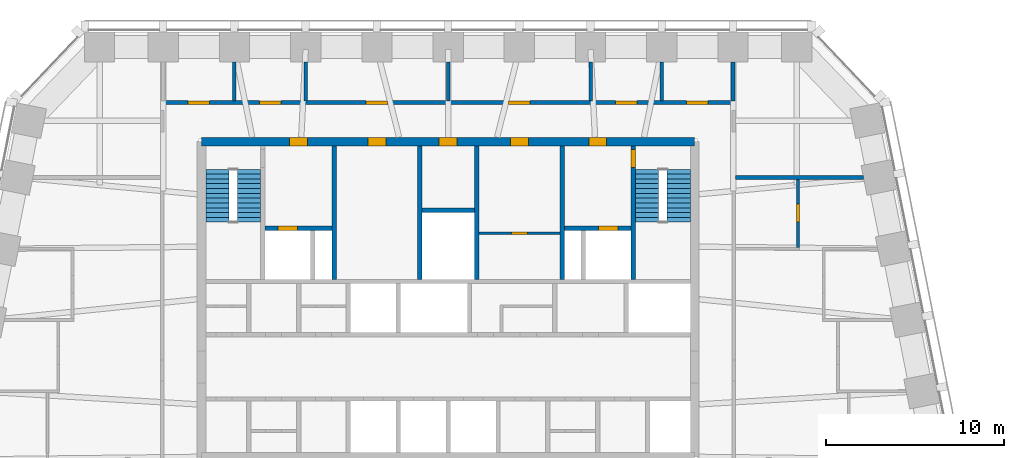
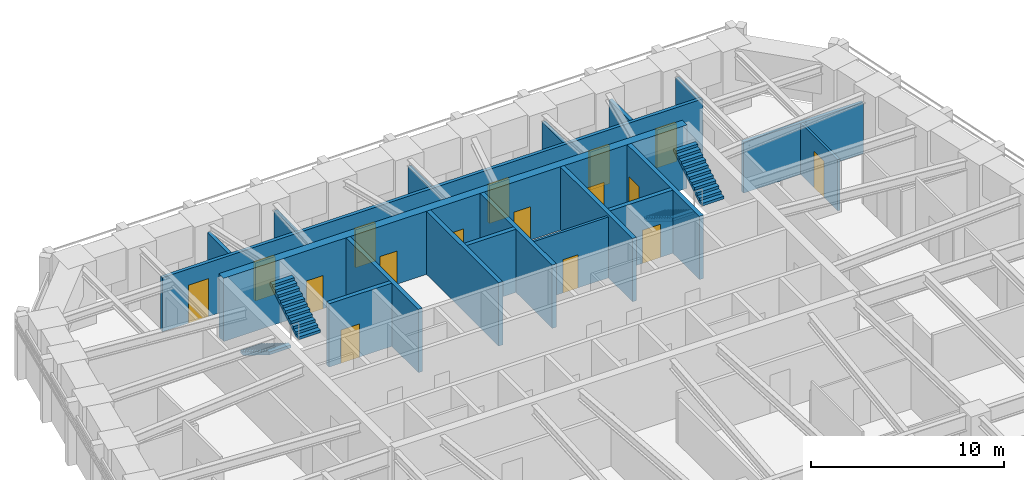
# One storey, part 8 of 10: 19 walls, 16 doors, 4 stair flights, 16 openings, 2 elements without a shape of their own.
"""IFC4 building model written with IfcOpenShell, lengths in metres."""

from ifc_helpers import new_model, si_unit, direction, frame, frame_2d, origin, place, context, subcontext, project, spatial, polyline, rectangle, outline, extrude, material, layer, layer_set, type_object, element, fill, aggregate, save


model = new_model("IFC4")

# Units and contexts
model_context = context("Model", 3, precision=1e-05, world=origin(), true_north=direction((0.0, 1.0)))
body_context = subcontext(model_context, "Body", "Model", "MODEL_VIEW")
ifc_project = project(units=[si_unit("LENGTHUNIT", "METRE"), si_unit("AREAUNIT", "SQUARE_METRE"), si_unit("VOLUMEUNIT", "CUBIC_METRE"), si_unit("PLANEANGLEUNIT", "RADIAN"), si_unit("MASSUNIT", "GRAM", prefix="KILO")], contexts=[model_context])

# Site, building, storey
site_placement = place(None, origin())
site = spatial("IfcSite", under=ifc_project, at=site_placement, CompositionType="ELEMENT")
building_placement = place(site_placement, origin())
building = spatial("IfcBuilding", under=site, at=building_placement, Name="Isbrekke Arena Tower", CompositionType="ELEMENT")
storey_placement = place(building_placement, frame((0.0, 0.0, 260.0)))
storey = spatial("IfcBuildingStorey", under=building, at=storey_placement, Name="L60", CompositionType="ELEMENT", Elevation=260.0)

# Wall, openings, doors
ifc_material_1 = material(Name="Concrete B55 (C55/67)", Category="concrete")
ifc_layer_1 = layer(ifc_material_1, 0.5)
ifc_layer_set_1 = layer_set([ifc_layer_1], Name="CW5 CORE WALL 500")
wall_type_1 = type_object("IfcWallType", Name="CW5 CORE WALL 500", PredefinedType="SHEAR", material=ifc_layer_set_1)
wall_1_placement = place(storey_placement, frame((13.85009765625, 23.85009765625, 0.0), z_axis=(0.0, 0.0, 1.0), x_axis=(-1.0, 0.0, 0.0)))
wall_1 = element("IfcWall", 1, at=wall_1_placement, inside=storey, type_object=wall_type_1, Name="Core wall N L60", PredefinedType="SHEAR", context=body_context, shape_type="SweptSolid", body=[
    extrude(rectangle(XDim=27.7001953125, YDim=0.5, at=frame_2d((13.85009765625, 0.0))), origin(), (0.0, 0.0, 1.0), 4.0),
])
opening_1_placement = place(wall_1_placement, frame((21.75, 0.0, 0.0)))
opening_1 = element("IfcOpeningElement", 2, at=opening_1_placement, cuts=wall_1, Name="Opening D3", PredefinedType="OPENING", context=body_context, shape_type="SweptSolid", body=[
    extrude(rectangle(XDim=1.0, YDim=2.10009765625, at=frame_2d((0.5, 1.050048828125))), frame((0.0, 0.264892578125, 0.0), z_axis=(0.0, -1.0, 0.0), x_axis=(1.0, 0.0, 0.0)), (0.0, 0.0, 1.0), 0.52978515625),
])
opening_2_placement = place(wall_1_placement, frame((4.949951171875, 0.0, 0.0)))
opening_2 = element("IfcOpeningElement", 3, at=opening_2_placement, cuts=wall_1, Name="Opening D3", PredefinedType="OPENING", context=body_context, shape_type="SweptSolid", body=[
    extrude(rectangle(XDim=1.0, YDim=2.10009765625, at=frame_2d((0.5, 1.050048828125))), frame((0.0, 0.264892578125, 0.0), z_axis=(0.0, -1.0, 0.0), x_axis=(1.0, 0.0, 0.0)), (0.0, 0.0, 1.0), 0.52978515625),
])
opening_3_placement = place(wall_1_placement, frame((17.35009765625, 0.0, 0.0)))
opening_3 = element("IfcOpeningElement", 4, at=opening_3_placement, cuts=wall_1, Name="Opening D4", PredefinedType="OPENING", context=body_context, shape_type="SweptSolid", body=[
    extrude(rectangle(XDim=1.0, YDim=2.10009765625, at=frame_2d((0.5, 1.050048828125))), frame((0.0, 0.264892578125, 0.0), z_axis=(0.0, -1.0, 0.0), x_axis=(1.0, 0.0, 0.0)), (0.0, 0.0, 1.0), 0.52978515625),
])
opening_4_placement = place(wall_1_placement, frame((13.35009765625, 0.0, 0.0)))
opening_4 = element("IfcOpeningElement", 5, at=opening_4_placement, cuts=wall_1, Name="Opening D4", PredefinedType="OPENING", context=body_context, shape_type="SweptSolid", body=[
    extrude(rectangle(XDim=1.0, YDim=2.10009765625, at=frame_2d((0.5, 1.050048828125))), frame((0.0, 0.264892578125, 0.0), z_axis=(0.0, -1.0, 0.0), x_axis=(1.0, 0.0, 0.0)), (0.0, 0.0, 1.0), 0.52978515625),
])
opening_5_placement = place(wall_1_placement, frame((9.35009765625, 0.0, 0.0)))
opening_5 = element("IfcOpeningElement", 6, at=opening_5_placement, cuts=wall_1, Name="Opening D4", PredefinedType="OPENING", context=body_context, shape_type="SweptSolid", body=[
    extrude(rectangle(XDim=1.0, YDim=2.10009765625, at=frame_2d((0.5, 1.050048828125))), frame((0.0, 0.264892578125, 0.0), z_axis=(0.0, -1.0, 0.0), x_axis=(1.0, 0.0, 0.0)), (0.0, 0.0, 1.0), 0.52978515625),
])
ifc_material_2 = material(Name="Steel fire door", Category="steel")
door_type_1 = type_object("IfcDoorType", Name="D3 FIRE LOBBY DOOR 1000 x 2100", OperationType="SINGLE_SWING_RIGHT", PredefinedType="DOOR", material=ifc_material_2)
door_1_placement = place(opening_1_placement, origin())
door_1 = element("IfcDoor", 7, at=door_1_placement, inside=storey, type_object=door_type_1, Name="D3 fire-fighting lobby door L60", OperationType="SINGLE_SWING_RIGHT", OverallHeight=2.10009765625, OverallWidth=1.0, PredefinedType="DOOR", context=body_context, shape_type="SweptSolid", body=[
    extrude(rectangle(XDim=1.0, YDim=2.10009765625, at=frame_2d((0.5, 1.050048828125))), frame((0.0, 0.249755859375, 0.0), z_axis=(0.0, -1.0, 0.0), x_axis=(1.0, 0.0, 0.0)), (0.0, 0.0, 1.0), 0.49951171875),
])
fill(opening_1, door_1)
door_2_placement = place(opening_2_placement, origin())
door_2 = element("IfcDoor", 8, at=door_2_placement, inside=storey, type_object=door_type_1, Name="D3 fire-fighting lobby door L60", OperationType="SINGLE_SWING_RIGHT", OverallHeight=2.10009765625, OverallWidth=1.0, PredefinedType="DOOR", context=body_context, shape_type="SweptSolid", body=[
    extrude(rectangle(XDim=1.0, YDim=2.10009765625, at=frame_2d((0.5, 1.050048828125))), frame((0.0, 0.249755859375, 0.0), z_axis=(0.0, -1.0, 0.0), x_axis=(1.0, 0.0, 0.0)), (0.0, 0.0, 1.0), 0.49951171875),
])
fill(opening_2, door_2)
ifc_material_3 = material(Name="Timber door", Category="wood")
door_type_2 = type_object("IfcDoorType", Name="D4 WC DOOR 1000 x 2100", OperationType="SINGLE_SWING_LEFT", PredefinedType="DOOR", material=ifc_material_3)
door_3_placement = place(opening_3_placement, origin())
door_3 = element("IfcDoor", 9, at=door_3_placement, inside=storey, type_object=door_type_2, Name="D4 wc female door L60", OperationType="SINGLE_SWING_LEFT", OverallHeight=2.10009765625, OverallWidth=1.0, PredefinedType="DOOR", context=body_context, shape_type="SweptSolid", body=[
    extrude(rectangle(XDim=1.0, YDim=2.10009765625, at=frame_2d((0.5, 1.050048828125))), frame((0.0, 0.249755859375, 0.0), z_axis=(0.0, -1.0, 0.0), x_axis=(1.0, 0.0, 0.0)), (0.0, 0.0, 1.0), 0.49951171875),
])
fill(opening_3, door_3)
door_4_placement = place(opening_4_placement, origin())
door_4 = element("IfcDoor", 10, at=door_4_placement, inside=storey, type_object=door_type_2, Name="D4 accessible wc door L60", OperationType="SINGLE_SWING_LEFT", OverallHeight=2.10009765625, OverallWidth=1.0, PredefinedType="DOOR", context=body_context, shape_type="SweptSolid", body=[
    extrude(rectangle(XDim=1.0, YDim=2.10009765625, at=frame_2d((0.5, 1.050048828125))), frame((0.0, 0.249755859375, 0.0), z_axis=(0.0, -1.0, 0.0), x_axis=(1.0, 0.0, 0.0)), (0.0, 0.0, 1.0), 0.49951171875),
])
fill(opening_4, door_4)
door_5_placement = place(opening_5_placement, origin())
door_5 = element("IfcDoor", 11, at=door_5_placement, inside=storey, type_object=door_type_2, Name="D4 wc male door L60", OperationType="SINGLE_SWING_LEFT", OverallHeight=2.10009765625, OverallWidth=1.0, PredefinedType="DOOR", context=body_context, shape_type="SweptSolid", body=[
    extrude(rectangle(XDim=1.0, YDim=2.10009765625, at=frame_2d((0.5, 1.050048828125))), frame((0.0, 0.249755859375, 0.0), z_axis=(0.0, -1.0, 0.0), x_axis=(1.0, 0.0, 0.0)), (0.0, 0.0, 1.0), 0.49951171875),
])
fill(opening_5, door_5)

# Walls
ifc_material_4 = material(Name="Concrete B45 (C45/55)", Category="concrete")
ifc_layer_2 = layer(ifc_material_4, 0.25)
ifc_layer_set_2 = layer_set([ifc_layer_2], Name="CW6 SHAFT WALL 250")
wall_type_2 = type_object("IfcWallType", Name="CW6 SHAFT WALL 250", PredefinedType="SHEAR", material=ifc_layer_set_2)
for number, where, z_axis, x_axis, name in (
    (12, (-6.39990234375, 16.125, 0.0), (0.0, 0.0, 1.0), (0.0, 1.0, 0.0), "Core wall NV02 L60"),
    (13, (-1.60009765625, 16.125, 0.0), (0.0, 0.0, 1.0), (0.0, 1.0, 0.0), "Core wall NV03 L60"),
    (14, (1.60009765625, 16.125, 0.0), (0.0, 0.0, 1.0), (0.0, 1.0, 0.0), "Core wall NV04 L60"),
    (15, (6.39990234375, 16.125, 0.0), (0.0, 0.0, 1.0), (0.0, 1.0, 0.0), "Core wall NV05 L60"),
):
    element("IfcWall", number, at=place(storey_placement, frame(where, z_axis=z_axis, x_axis=x_axis)), inside=storey, type_object=wall_type_2, Name=name, PredefinedType="SHEAR", context=body_context, shape_type="SweptSolid", body=[
        extrude(rectangle(XDim=7.47509765625, YDim=0.25, at=frame_2d((3.737548828125, 0.0))), origin(), (0.0, 0.0, 1.0), 4.0),
    ])

# Wall, opening, door
wall_2_placement = place(storey_placement, frame((10.39990234375, 16.125, 0.0), z_axis=(0.0, 0.0, 1.0), x_axis=(0.0, 1.0, 0.0)))
wall_2 = element("IfcWall", 16, at=wall_2_placement, inside=storey, type_object=wall_type_2, Name="Core wall NV06 L60", PredefinedType="SHEAR", context=body_context, shape_type="SweptSolid", body=[
    extrude(rectangle(XDim=7.47509765625, YDim=0.25, at=frame_2d((3.737548828125, 0.0))), origin(), (0.0, 0.0, 1.0), 4.0),
])
opening_6_placement = place(wall_2_placement, frame((6.27490234375, 0.0, 0.0)))
opening_6 = element("IfcOpeningElement", 17, at=opening_6_placement, cuts=wall_2, Name="Opening D2", PredefinedType="OPENING", context=body_context, shape_type="SweptSolid", body=[
    extrude(rectangle(XDim=1.0, YDim=2.10009765625, at=frame_2d((0.5, 1.050048828125))), frame((0.0, 0.139892578125, 0.0), z_axis=(0.0, -1.0, 0.0), x_axis=(1.0, 0.0, 0.0)), (0.0, 0.0, 1.0), 0.27978515625),
])
ifc_material_5 = material(Name="Steel fire door", Category="steel")
door_type_3 = type_object("IfcDoorType", Name="D2 STAIR DOOR 1000 x 2100", OperationType="SINGLE_SWING_LEFT", PredefinedType="DOOR", material=ifc_material_5)
door_6_placement = place(opening_6_placement, origin())
door_6 = element("IfcDoor", 18, at=door_6_placement, inside=storey, type_object=door_type_3, Name="D2 stair door ST2 L60", OperationType="SINGLE_SWING_LEFT", OverallHeight=2.10009765625, OverallWidth=1.0, PredefinedType="DOOR", context=body_context, shape_type="SweptSolid", body=[
    extrude(rectangle(XDim=1.0, YDim=2.10009765625, at=frame_2d((0.5, 1.050048828125))), frame((0.0, 0.124755859375, 0.0), z_axis=(0.0, -1.0, 0.0), x_axis=(1.0, 0.0, 0.0)), (0.0, 0.0, 1.0), 0.24951171875),
])
fill(opening_6, door_6)

wall_3_placement = place(storey_placement, frame((-10.27490234375, 19.0, 0.0), z_axis=(0.0, 0.0, 1.0), x_axis=(1.0, 0.0, 0.0)))
wall_3 = element("IfcWall", 19, at=wall_3_placement, inside=storey, type_object=wall_type_2, Name="Core wall NFW L60", PredefinedType="SHEAR", context=body_context, shape_type="SweptSolid", body=[
    extrude(rectangle(XDim=3.75, YDim=0.25, at=frame_2d((1.875, 0.0))), origin(), (0.0, 0.0, 1.0), 4.0),
])
opening_7_placement = place(wall_3_placement, frame((0.72509765625, 0.0, 0.0)))
opening_7 = element("IfcOpeningElement", 20, at=opening_7_placement, cuts=wall_3, Name="Opening LD2", PredefinedType="OPENING", context=body_context, shape_type="SweptSolid", body=[
    extrude(rectangle(XDim=1.10009765625, YDim=2.10009765625, at=frame_2d((0.550048828125, 1.050048828125))), frame((0.0, 0.139892578125, 0.0), z_axis=(0.0, -1.0, 0.0), x_axis=(1.0, 0.0, 0.0)), (0.0, 0.0, 1.0), 0.27978515625),
])
ifc_material_6 = material(Name="Stainless steel lift landing door", Category="steel")
door_type_4 = type_object("IfcDoorType", Name="LD2 FIRE-FIGHTING LIFT LANDING DOOR 1100 x 2100", OperationType="SLIDING_TO_RIGHT", PredefinedType="DOOR", material=ifc_material_6)
door_7_placement = place(opening_7_placement, origin())
door_7 = element("IfcDoor", 21, at=door_7_placement, inside=storey, type_object=door_type_4, Name="LD2 lift landing door LF L60", OperationType="SLIDING_TO_RIGHT", OverallHeight=2.10009765625, OverallWidth=1.10009765625, PredefinedType="DOOR", context=body_context, shape_type="SweptSolid", body=[
    extrude(rectangle(XDim=1.10009765625, YDim=2.10009765625, at=frame_2d((0.550048828125, 1.050048828125))), frame((0.0, 0.124755859375, 0.0), z_axis=(0.0, -1.0, 0.0), x_axis=(1.0, 0.0, 0.0)), (0.0, 0.0, 1.0), 0.24951171875),
])
fill(opening_7, door_7)

wall_4_placement = place(storey_placement, frame((6.52490234375, 19.0, 0.0), z_axis=(0.0, 0.0, 1.0), x_axis=(1.0, 0.0, 0.0)))
wall_4 = element("IfcWall", 22, at=wall_4_placement, inside=storey, type_object=wall_type_2, Name="Core wall NFE L60", PredefinedType="SHEAR", context=body_context, shape_type="SweptSolid", body=[
    extrude(rectangle(XDim=3.75, YDim=0.25, at=frame_2d((1.875, 0.0))), origin(), (0.0, 0.0, 1.0), 4.0),
])
opening_8_placement = place(wall_4_placement, frame((1.925048828125, 0.0, 0.0)))
opening_8 = element("IfcOpeningElement", 23, at=opening_8_placement, cuts=wall_4, Name="Opening LD2", PredefinedType="OPENING", context=body_context, shape_type="SweptSolid", body=[
    extrude(rectangle(XDim=1.10009765625, YDim=2.10009765625, at=frame_2d((0.550048828125, 1.050048828125))), frame((0.0, 0.139892578125, 0.0), z_axis=(0.0, -1.0, 0.0), x_axis=(1.0, 0.0, 0.0)), (0.0, 0.0, 1.0), 0.27978515625),
])
door_8_placement = place(opening_8_placement, origin())
door_8 = element("IfcDoor", 24, at=door_8_placement, inside=storey, type_object=door_type_4, Name="LD2 lift landing door LF L60", OperationType="SLIDING_TO_RIGHT", OverallHeight=2.10009765625, OverallWidth=1.10009765625, PredefinedType="DOOR", context=body_context, shape_type="SweptSolid", body=[
    extrude(rectangle(XDim=1.10009765625, YDim=2.10009765625, at=frame_2d((0.550048828125, 1.050048828125))), frame((0.0, 0.124755859375, 0.0), z_axis=(0.0, -1.0, 0.0), x_axis=(1.0, 0.0, 0.0)), (0.0, 0.0, 1.0), 0.24951171875),
])
fill(opening_8, door_8)

# Wall
wall_5_placement = place(storey_placement, frame((-1.47509765625, 20.0, 0.0), z_axis=(0.0, 0.0, 1.0), x_axis=(1.0, 0.0, 0.0)))
element("IfcWall", 25, at=wall_5_placement, inside=storey, type_object=wall_type_2, Name="Core wall NWC L60", PredefinedType="SHEAR", context=body_context, shape_type="SweptSolid", body=[
    extrude(rectangle(XDim=2.9501953125, YDim=0.25, at=frame_2d((1.47509765625, 0.0))), origin(), (0.0, 0.0, 1.0), 4.0),
])

# Wall, opening, door
ifc_material_7 = material(Name="Gypsum board partition on steel studs", Category="steel")
ifc_layer_3 = layer(ifc_material_7, 0.14990234375)
ifc_layer_set_3 = layer_set([ifc_layer_3], Name="IW1 PARTITION 150")
wall_type_3 = type_object("IfcWallType", Name="IW1 PARTITION 150", PredefinedType="PARTITIONING", material=ifc_layer_set_3)
wall_6_placement = place(storey_placement, frame((19.64990234375, 17.9150390625, 0.0), z_axis=(0.0, 0.0, 1.0), x_axis=(0.0, 1.0, 0.0)))
wall_6 = element("IfcWall", 26, at=wall_6_placement, inside=storey, type_object=wall_type_3, Name="IW1 partition 150 L60", PredefinedType="PARTITIONING", context=body_context, shape_type="SweptSolid", body=[
    extrude(rectangle(XDim=3.824951171875, YDim=0.14990234375, at=frame_2d((1.91259765625, 0.0))), origin(), (0.0, 0.0, 1.0), 3.22998046875),
])
opening_9_placement = place(wall_6_placement, frame((1.425048828125, 0.0, 0.0)))
opening_9 = element("IfcOpeningElement", 27, at=opening_9_placement, cuts=wall_6, Name="Opening D10", PredefinedType="OPENING", context=body_context, shape_type="SweptSolid", body=[
    extrude(rectangle(XDim=1.0, YDim=2.300048828125, at=frame_2d((0.5, 1.14990234375))), frame((0.0, 0.08984375, 0.0), z_axis=(0.0, -1.0, 0.0), x_axis=(1.0, 0.0, 0.0)), (0.0, 0.0, 1.0), 0.1796875),
])
ifc_material_8 = material(Name="Timber door", Category="wood")
door_type_5 = type_object("IfcDoorType", Name="D10 OFFICE DOOR 1000 x 2300", OperationType="SINGLE_SWING_LEFT", PredefinedType="DOOR", material=ifc_material_8)
door_9_placement = place(opening_9_placement, origin())
door_9 = element("IfcDoor", 28, at=door_9_placement, inside=storey, type_object=door_type_5, Name="D10 print room door L60", OperationType="SINGLE_SWING_LEFT", OverallHeight=2.300048828125, OverallWidth=1.0, PredefinedType="DOOR", context=body_context, shape_type="SweptSolid", body=[
    extrude(rectangle(XDim=1.0, YDim=2.300048828125, at=frame_2d((0.5, 1.14990234375))), frame((0.0, 0.07470703125, 0.0), z_axis=(0.0, -1.0, 0.0), x_axis=(1.0, 0.0, 0.0)), (0.0, 0.0, 1.0), 0.1494140625),
])
fill(opening_9, door_9)

# Wall
ifc_material_9 = material(Name="Gypsum board fire-cell wall on steel studs, two layers each side", Category="steel")
ifc_layer_4 = layer(ifc_material_9, 0.199951171875)
ifc_layer_set_4 = layer_set([ifc_layer_4], Name="IW3 FIRE-CELL WALL 200")
wall_type_4 = type_object("IfcWallType", Name="IW3 FIRE-CELL WALL 200", PredefinedType="PARTITIONING", material=ifc_layer_set_4)
wall_7_placement = place(storey_placement, frame((16.14990234375, 21.840087890625, 0.0), z_axis=(0.0, 0.0, 1.0), x_axis=(1.0, 0.0, 0.0)))
element("IfcWall", 29, at=wall_7_placement, inside=storey, type_object=wall_type_4, Name="IW3 fire-cell wall 200 L60", PredefinedType="PARTITIONING", context=body_context, shape_type="SweptSolid", body=[
    extrude(rectangle(XDim=7.173828125, YDim=0.199951171875, at=frame_2d((3.5869140625, 0.0))), origin(), (0.0, 0.0, 1.0), 3.22998046875),
])

# Wall, openings, doors
wall_8_placement = place(storey_placement, frame((-16.14990234375, 26.050048828125, 0.0), z_axis=(0.0, 0.0, 1.0), x_axis=(1.0, 0.0, 0.0)))
wall_8 = element("IfcWall", 30, at=wall_8_placement, inside=storey, type_object=wall_type_4, Name="IW3 fire-cell wall 200 L60", PredefinedType="PARTITIONING", context=body_context, shape_type="SweptSolid", body=[
    extrude(rectangle(XDim=32.2998046875, YDim=0.199951171875, at=frame_2d((16.14990234375, 0.0))), origin(), (0.0, 0.0, 1.0), 3.41796875),
])
opening_10_placement = place(wall_8_placement, frame((1.550048828125, 0.0, 0.0)))
opening_10 = element("IfcOpeningElement", 31, at=opening_10_placement, cuts=wall_8, Name="Opening D12", PredefinedType="OPENING", context=body_context, shape_type="SweptSolid", body=[
    extrude(rectangle(XDim=1.199951171875, YDim=2.39990234375, at=frame_2d((0.60009765625, 1.199951171875))), frame((0.0, 0.11474609375, 0.0), z_axis=(0.0, -1.0, 0.0), x_axis=(1.0, 0.0, 0.0)), (0.0, 0.0, 1.0), 0.229736328125),
])
opening_11_placement = place(wall_8_placement, frame((5.550048828125, 0.0, 0.0)))
opening_11 = element("IfcOpeningElement", 32, at=opening_11_placement, cuts=wall_8, Name="Opening D12", PredefinedType="OPENING", context=body_context, shape_type="SweptSolid", body=[
    extrude(rectangle(XDim=1.199951171875, YDim=2.39990234375, at=frame_2d((0.60009765625, 1.199951171875))), frame((0.0, 0.11474609375, 0.0), z_axis=(0.0, -1.0, 0.0), x_axis=(1.0, 0.0, 0.0)), (0.0, 0.0, 1.0), 0.229736328125),
])
opening_12_placement = place(wall_8_placement, frame((11.550048828125, 0.0, 0.0)))
opening_12 = element("IfcOpeningElement", 33, at=opening_12_placement, cuts=wall_8, Name="Opening D12", PredefinedType="OPENING", context=body_context, shape_type="SweptSolid", body=[
    extrude(rectangle(XDim=1.199951171875, YDim=2.39990234375, at=frame_2d((0.60009765625, 1.199951171875))), frame((0.0, 0.11474609375, 0.0), z_axis=(0.0, -1.0, 0.0), x_axis=(1.0, 0.0, 0.0)), (0.0, 0.0, 1.0), 0.229736328125),
])
opening_13_placement = place(wall_8_placement, frame((19.550048828125, 0.0, 0.0)))
opening_13 = element("IfcOpeningElement", 34, at=opening_13_placement, cuts=wall_8, Name="Opening D12", PredefinedType="OPENING", context=body_context, shape_type="SweptSolid", body=[
    extrude(rectangle(XDim=1.199951171875, YDim=2.39990234375, at=frame_2d((0.60009765625, 1.199951171875))), frame((0.0, 0.11474609375, 0.0), z_axis=(0.0, -1.0, 0.0), x_axis=(1.0, 0.0, 0.0)), (0.0, 0.0, 1.0), 0.229736328125),
])
opening_14_placement = place(wall_8_placement, frame((25.550048828125, 0.0, 0.0)))
opening_14 = element("IfcOpeningElement", 35, at=opening_14_placement, cuts=wall_8, Name="Opening D12", PredefinedType="OPENING", context=body_context, shape_type="SweptSolid", body=[
    extrude(rectangle(XDim=1.199951171875, YDim=2.39990234375, at=frame_2d((0.60009765625, 1.199951171875))), frame((0.0, 0.11474609375, 0.0), z_axis=(0.0, -1.0, 0.0), x_axis=(1.0, 0.0, 0.0)), (0.0, 0.0, 1.0), 0.229736328125),
])
opening_15_placement = place(wall_8_placement, frame((29.550048828125, 0.0, 0.0)))
opening_15 = element("IfcOpeningElement", 36, at=opening_15_placement, cuts=wall_8, Name="Opening D12", PredefinedType="OPENING", context=body_context, shape_type="SweptSolid", body=[
    extrude(rectangle(XDim=1.199951171875, YDim=2.39990234375, at=frame_2d((0.60009765625, 1.199951171875))), frame((0.0, 0.11474609375, 0.0), z_axis=(0.0, -1.0, 0.0), x_axis=(1.0, 0.0, 0.0)), (0.0, 0.0, 1.0), 0.229736328125),
])
ifc_material_10 = material(Name="Timber fire door with vision panel", Category="wood")
door_type_6 = type_object("IfcDoorType", Name="D12 SUITE ENTRANCE DOOR 1200 x 2400", OperationType="SINGLE_SWING_LEFT", PredefinedType="DOOR", material=ifc_material_10)
door_10_placement = place(opening_10_placement, origin())
door_10 = element("IfcDoor", 37, at=door_10_placement, inside=storey, type_object=door_type_6, Name="D12 suite entrance NB1 door L60", OperationType="SINGLE_SWING_LEFT", OverallHeight=2.39990234375, OverallWidth=1.199951171875, PredefinedType="DOOR", context=body_context, shape_type="SweptSolid", body=[
    extrude(rectangle(XDim=1.199951171875, YDim=2.39990234375, at=frame_2d((0.60009765625, 1.199951171875))), frame((0.0, 0.099609375, 0.0), z_axis=(0.0, -1.0, 0.0), x_axis=(1.0, 0.0, 0.0)), (0.0, 0.0, 1.0), 0.199462890625),
])
fill(opening_10, door_10)
door_11_placement = place(opening_11_placement, origin())
door_11 = element("IfcDoor", 38, at=door_11_placement, inside=storey, type_object=door_type_6, Name="D12 suite entrance NB2 door L60", OperationType="SINGLE_SWING_LEFT", OverallHeight=2.39990234375, OverallWidth=1.199951171875, PredefinedType="DOOR", context=body_context, shape_type="SweptSolid", body=[
    extrude(rectangle(XDim=1.199951171875, YDim=2.39990234375, at=frame_2d((0.60009765625, 1.199951171875))), frame((0.0, 0.099609375, 0.0), z_axis=(0.0, -1.0, 0.0), x_axis=(1.0, 0.0, 0.0)), (0.0, 0.0, 1.0), 0.199462890625),
])
fill(opening_11, door_11)
door_12_placement = place(opening_12_placement, origin())
door_12 = element("IfcDoor", 39, at=door_12_placement, inside=storey, type_object=door_type_6, Name="D12 suite entrance NB3 door L60", OperationType="SINGLE_SWING_LEFT", OverallHeight=2.39990234375, OverallWidth=1.199951171875, PredefinedType="DOOR", context=body_context, shape_type="SweptSolid", body=[
    extrude(rectangle(XDim=1.199951171875, YDim=2.39990234375, at=frame_2d((0.60009765625, 1.199951171875))), frame((0.0, 0.099609375, 0.0), z_axis=(0.0, -1.0, 0.0), x_axis=(1.0, 0.0, 0.0)), (0.0, 0.0, 1.0), 0.199462890625),
])
fill(opening_12, door_12)
door_13_placement = place(opening_13_placement, origin())
door_13 = element("IfcDoor", 40, at=door_13_placement, inside=storey, type_object=door_type_6, Name="D12 suite entrance NB4 door L60", OperationType="SINGLE_SWING_LEFT", OverallHeight=2.39990234375, OverallWidth=1.199951171875, PredefinedType="DOOR", context=body_context, shape_type="SweptSolid", body=[
    extrude(rectangle(XDim=1.199951171875, YDim=2.39990234375, at=frame_2d((0.60009765625, 1.199951171875))), frame((0.0, 0.099609375, 0.0), z_axis=(0.0, -1.0, 0.0), x_axis=(1.0, 0.0, 0.0)), (0.0, 0.0, 1.0), 0.199462890625),
])
fill(opening_13, door_13)
door_14_placement = place(opening_14_placement, origin())
door_14 = element("IfcDoor", 41, at=door_14_placement, inside=storey, type_object=door_type_6, Name="D12 suite entrance NB5 door L60", OperationType="SINGLE_SWING_LEFT", OverallHeight=2.39990234375, OverallWidth=1.199951171875, PredefinedType="DOOR", context=body_context, shape_type="SweptSolid", body=[
    extrude(rectangle(XDim=1.199951171875, YDim=2.39990234375, at=frame_2d((0.60009765625, 1.199951171875))), frame((0.0, 0.099609375, 0.0), z_axis=(0.0, -1.0, 0.0), x_axis=(1.0, 0.0, 0.0)), (0.0, 0.0, 1.0), 0.199462890625),
])
fill(opening_14, door_14)
door_15_placement = place(opening_15_placement, origin())
door_15 = element("IfcDoor", 42, at=door_15_placement, inside=storey, type_object=door_type_6, Name="D12 suite entrance NB6 door L60", OperationType="SINGLE_SWING_LEFT", OverallHeight=2.39990234375, OverallWidth=1.199951171875, PredefinedType="DOOR", context=body_context, shape_type="SweptSolid", body=[
    extrude(rectangle(XDim=1.199951171875, YDim=2.39990234375, at=frame_2d((0.60009765625, 1.199951171875))), frame((0.0, 0.099609375, 0.0), z_axis=(0.0, -1.0, 0.0), x_axis=(1.0, 0.0, 0.0)), (0.0, 0.0, 1.0), 0.199462890625),
])
fill(opening_15, door_15)

# Walls
for number, where, z_axis, x_axis, name in (
    (43, (-12.0, 26.14990234375, 0.0), (0.0, 0.0, 1.0), (0.0, 1.0, 0.0), "IW3 fire-cell wall 200 L60"),
    (44, (-8.0, 26.14990234375, 0.0), (0.0, 0.0, 1.0), (0.0, 1.0, 0.0), "IW3 fire-cell wall 200 L60"),
    (45, (0.0, 26.14990234375, 0.0), (0.0, 0.0, 1.0), (0.0, 1.0, 0.0), "IW3 fire-cell wall 200 L60"),
    (46, (8.0, 26.14990234375, 0.0), (0.0, 0.0, 1.0), (0.0, 1.0, 0.0), "IW3 fire-cell wall 200 L60"),
    (47, (12.0, 26.14990234375, 0.0), (0.0, 0.0, 1.0), (0.0, 1.0, 0.0), "IW3 fire-cell wall 200 L60"),
    (48, (16.0, 26.14990234375, 0.0), (0.0, 0.0, 1.0), (0.0, 1.0, 0.0), "IW3 fire-cell wall 200 L60"),
):
    element("IfcWall", number, at=place(storey_placement, frame(where, z_axis=z_axis, x_axis=x_axis)), inside=storey, type_object=wall_type_4, Name=name, PredefinedType="PARTITIONING", context=body_context, shape_type="SweptSolid", body=[
        extrude(rectangle(XDim=2.175048828125, YDim=0.199951171875, at=frame_2d((1.08740234375, 0.0))), origin(), (0.0, 0.0, 1.0), 3.41796875),
    ])

# Wall, opening, door
ifc_material_11 = material(Name="Gypsum board fire-rated partition on steel studs, two layers each side", Category="steel")
ifc_layer_5 = layer(ifc_material_11, 0.14990234375)
ifc_layer_set_5 = layer_set([ifc_layer_5], Name="IW5 FIRE-RATED PARTITION 150")
wall_type_5 = type_object("IfcWallType", Name="IW5 FIRE-RATED PARTITION 150", PredefinedType="PARTITIONING", material=ifc_layer_set_5)
wall_9_placement = place(storey_placement, frame((1.72509765625, 18.699951171875, 0.0), z_axis=(0.0, 0.0, 1.0), x_axis=(1.0, 0.0, 0.0)))
wall_9 = element("IfcWall", 49, at=wall_9_placement, inside=storey, type_object=wall_type_5, Name="IW5 fire-rated partition L60 cleaner's store M", PredefinedType="PARTITIONING", context=body_context, shape_type="SweptSolid", body=[
    extrude(rectangle(XDim=4.5498046875, YDim=0.14990234375, at=frame_2d((2.27490234375, 0.0))), origin(), (0.0, 0.0, 1.0), 3.85009765625),
])
opening_16_placement = place(wall_9_placement, frame((1.824951171875, 0.0, 0.0)))
opening_16 = element("IfcOpeningElement", 50, at=opening_16_placement, cuts=wall_9, Name="Opening D5", PredefinedType="OPENING", context=body_context, shape_type="SweptSolid", body=[
    extrude(rectangle(XDim=0.89990234375, YDim=2.10009765625, at=frame_2d((0.449951171875, 1.050048828125))), frame((0.0, 0.08984375, 0.0), z_axis=(0.0, -1.0, 0.0), x_axis=(1.0, 0.0, 0.0)), (0.0, 0.0, 1.0), 0.1796875),
])
ifc_material_12 = material(Name="Steel fire door", Category="steel")
door_type_7 = type_object("IfcDoorType", Name="D5 SERVICE DOOR 900 x 2100", OperationType="SINGLE_SWING_LEFT", PredefinedType="DOOR", material=ifc_material_12)
door_16_placement = place(opening_16_placement, origin())
door_16 = element("IfcDoor", 51, at=door_16_placement, inside=storey, type_object=door_type_7, Name="D5 cleaner's store door L60", OperationType="SINGLE_SWING_LEFT", OverallHeight=2.10009765625, OverallWidth=0.89990234375, PredefinedType="DOOR", context=body_context, shape_type="SweptSolid", body=[
    extrude(rectangle(XDim=0.89990234375, YDim=2.10009765625, at=frame_2d((0.449951171875, 1.050048828125))), frame((0.0, 0.07470703125, 0.0), z_axis=(0.0, -1.0, 0.0), x_axis=(1.0, 0.0, 0.0)), (0.0, 0.0, 1.0), 0.1494140625),
])
fill(opening_16, door_16)

# Stair, stair flights
ifc_material_13 = material(Name="Concrete B45 (C45/55) precast", Category="concrete")
stair_type = type_object("IfcStairType", Name="ST40 STAIR 1300 WIDE, 24 RISERS 167", PredefinedType="HALF_TURN_STAIR", material=ifc_material_13)
stair_1_placement = place(storey_placement, origin())
stair_1 = element("IfcStair", 52, at=stair_1_placement, inside=storey, type_object=stair_type, Name="ST1 stair L60", PredefinedType="HALF_TURN_STAIR")
ifc_material_14 = material(Name="Concrete B45 (C45/55) precast", Category="concrete")
stair_flight_type = type_object("IfcStairFlightType", Name="SF 1300 FLIGHT", PredefinedType="STRAIGHT", material=ifc_material_14)
stair_flight_1_placement = place(storey_placement, frame((-12.949951171875, 22.300048828125, 0.0), z_axis=(0.0, 0.0, 1.0), x_axis=(0.0, -1.0, 0.0)))
stair_flight_1 = element("IfcStairFlight", 53, at=stair_flight_1_placement, type_object=stair_flight_type, Name="ST1 flight 1", NumberOfRisers=12, NumberOfTreads=11, PredefinedType="STRAIGHT", RiserHeight=0.166666667, TreadLength=0.27, context=body_context, shape_type="SweptSolid", body=[
    extrude(outline(polyline([(0.0, 0.0), (0.0, 0.166748046875), (0.27001953125, 0.166748046875), (0.27001953125, 0.333251953125), (0.5400390625, 0.333251953125), (0.5400390625, 0.5), (0.81005859375, 0.5), (0.81005859375, 0.666748046875), (1.080078125, 0.666748046875), (1.080078125, 0.833251953125), (1.35009765625, 0.833251953125), (1.35009765625, 1.0), (1.6201171875, 1.0), (1.6201171875, 1.166748046875), (1.889892578125, 1.166748046875), (1.889892578125, 1.333251953125), (2.159912109375, 1.333251953125), (2.159912109375, 1.5), (2.429931640625, 1.5), (2.429931640625, 1.666748046875), (2.699951171875, 1.666748046875), (2.699951171875, 1.833251953125), (2.969970703125, 1.833251953125), (2.969970703125, 2.0), (2.969970703125, 1.6572265625), (0.285400390625, 0.0), (0.0, 0.0)])), frame((0.0, 0.64990234375, 0.0), z_axis=(0.0, -1.0, 0.0), x_axis=(1.0, 0.0, 0.0)), (0.0, 0.0, 1.0), 1.300048828125),
])
stair_flight_2_placement = place(storey_placement, frame((-11.175048828125, 19.330078125, 2.0), z_axis=(0.0, 0.0, 1.0), x_axis=(0.0, 1.0, 0.0)))
stair_flight_2 = element("IfcStairFlight", 54, at=stair_flight_2_placement, type_object=stair_flight_type, Name="ST1 flight 2", NumberOfRisers=12, NumberOfTreads=11, PredefinedType="STRAIGHT", RiserHeight=0.166666667, TreadLength=0.27, context=body_context, shape_type="SweptSolid", body=[
    extrude(outline(polyline([(0.0, 0.0), (0.0, 0.166748046875), (0.27001953125, 0.166748046875), (0.27001953125, 0.333251953125), (0.5400390625, 0.333251953125), (0.5400390625, 0.5), (0.81005859375, 0.5), (0.81005859375, 0.666748046875), (1.080078125, 0.666748046875), (1.080078125, 0.833251953125), (1.35009765625, 0.833251953125), (1.35009765625, 1.0), (1.6201171875, 1.0), (1.6201171875, 1.166748046875), (1.889892578125, 1.166748046875), (1.889892578125, 1.333251953125), (2.159912109375, 1.333251953125), (2.159912109375, 1.5), (2.429931640625, 1.5), (2.429931640625, 1.666748046875), (2.699951171875, 1.666748046875), (2.699951171875, 1.833251953125), (2.969970703125, 1.833251953125), (2.969970703125, 2.0), (2.969970703125, 1.6572265625), (0.285400390625, 0.0), (0.0, 0.0)])), frame((0.0, 0.64990234375, 0.0), z_axis=(0.0, -1.0, 0.0), x_axis=(1.0, 0.0, 0.0)), (0.0, 0.0, 1.0), 1.300048828125),
])
aggregate(stair_1, [stair_flight_1, stair_flight_2])

stair_2_placement = place(storey_placement, origin())
stair_2 = element("IfcStair", 55, at=stair_2_placement, inside=storey, type_object=stair_type, Name="ST2 stair L60", PredefinedType="HALF_TURN_STAIR")
stair_flight_3_placement = place(storey_placement, frame((11.175048828125, 22.300048828125, 0.0), z_axis=(0.0, 0.0, 1.0), x_axis=(0.0, -1.0, 0.0)))
stair_flight_3 = element("IfcStairFlight", 56, at=stair_flight_3_placement, type_object=stair_flight_type, Name="ST2 flight 1", NumberOfRisers=12, NumberOfTreads=11, PredefinedType="STRAIGHT", RiserHeight=0.166666667, TreadLength=0.27, context=body_context, shape_type="SweptSolid", body=[
    extrude(outline(polyline([(0.0, 0.0), (0.0, 0.166748046875), (0.27001953125, 0.166748046875), (0.27001953125, 0.333251953125), (0.5400390625, 0.333251953125), (0.5400390625, 0.5), (0.81005859375, 0.5), (0.81005859375, 0.666748046875), (1.080078125, 0.666748046875), (1.080078125, 0.833251953125), (1.35009765625, 0.833251953125), (1.35009765625, 1.0), (1.6201171875, 1.0), (1.6201171875, 1.166748046875), (1.889892578125, 1.166748046875), (1.889892578125, 1.333251953125), (2.159912109375, 1.333251953125), (2.159912109375, 1.5), (2.429931640625, 1.5), (2.429931640625, 1.666748046875), (2.699951171875, 1.666748046875), (2.699951171875, 1.833251953125), (2.969970703125, 1.833251953125), (2.969970703125, 2.0), (2.969970703125, 1.6572265625), (0.285400390625, 0.0), (0.0, 0.0)])), frame((0.0, 0.64990234375, 0.0), z_axis=(0.0, -1.0, 0.0), x_axis=(1.0, 0.0, 0.0)), (0.0, 0.0, 1.0), 1.300048828125),
])
stair_flight_4_placement = place(storey_placement, frame((12.949951171875, 19.330078125, 2.0), z_axis=(0.0, 0.0, 1.0), x_axis=(0.0, 1.0, 0.0)))
stair_flight_4 = element("IfcStairFlight", 57, at=stair_flight_4_placement, type_object=stair_flight_type, Name="ST2 flight 2", NumberOfRisers=12, NumberOfTreads=11, PredefinedType="STRAIGHT", RiserHeight=0.166666667, TreadLength=0.27, context=body_context, shape_type="SweptSolid", body=[
    extrude(outline(polyline([(0.0, 0.0), (0.0, 0.166748046875), (0.27001953125, 0.166748046875), (0.27001953125, 0.333251953125), (0.5400390625, 0.333251953125), (0.5400390625, 0.5), (0.81005859375, 0.5), (0.81005859375, 0.666748046875), (1.080078125, 0.666748046875), (1.080078125, 0.833251953125), (1.35009765625, 0.833251953125), (1.35009765625, 1.0), (1.6201171875, 1.0), (1.6201171875, 1.166748046875), (1.889892578125, 1.166748046875), (1.889892578125, 1.333251953125), (2.159912109375, 1.333251953125), (2.159912109375, 1.5), (2.429931640625, 1.5), (2.429931640625, 1.666748046875), (2.699951171875, 1.666748046875), (2.699951171875, 1.833251953125), (2.969970703125, 1.833251953125), (2.969970703125, 2.0), (2.969970703125, 1.6572265625), (0.285400390625, 0.0), (0.0, 0.0)])), frame((0.0, 0.64990234375, 0.0), z_axis=(0.0, -1.0, 0.0), x_axis=(1.0, 0.0, 0.0)), (0.0, 0.0, 1.0), 1.300048828125),
])
aggregate(stair_2, [stair_flight_3, stair_flight_4])

save(model, "model.ifc")
